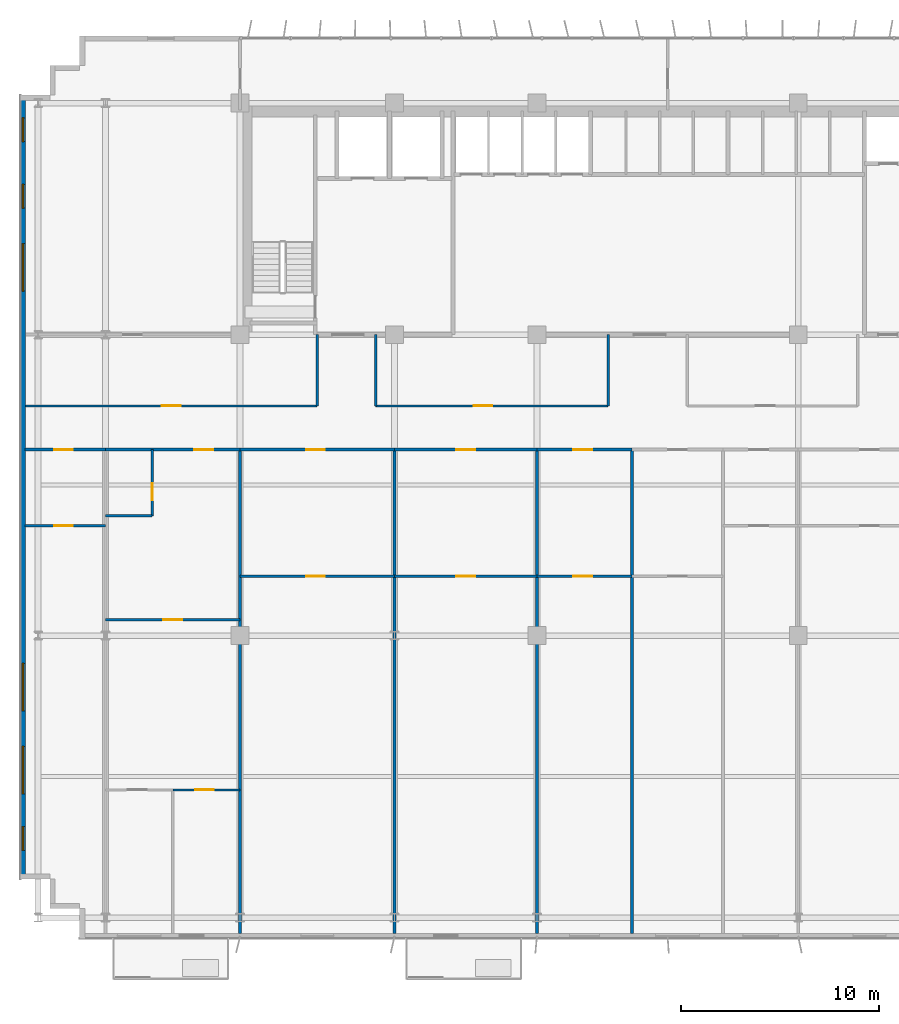
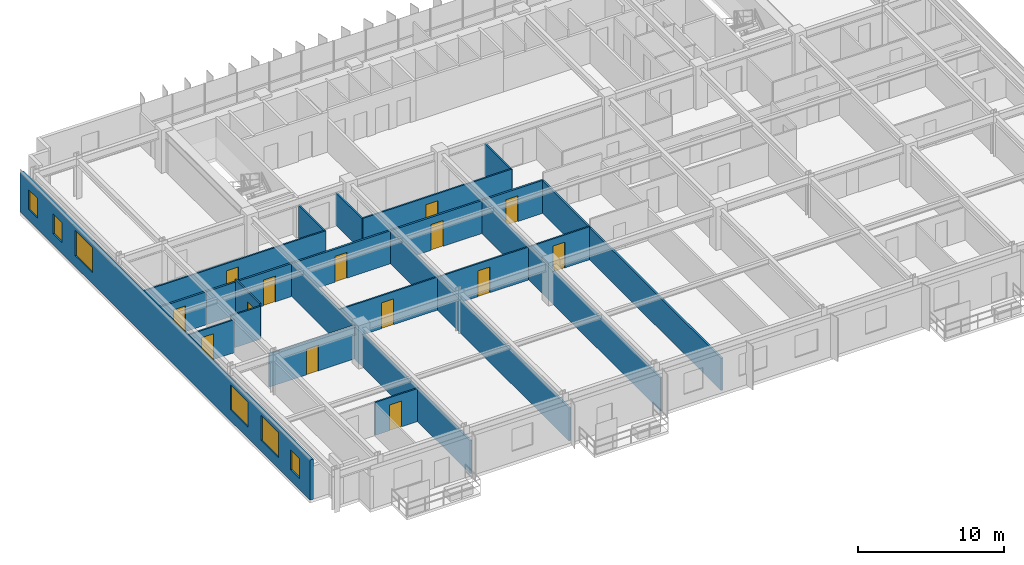
# One storey, part 15 of 22: 23 walls, 14 doors, 6 windows, 20 openings.
"""IFC4 building model written with IfcOpenShell, lengths in metres."""

from ifc_helpers import new_model, si_unit, direction, frame, frame_2d, origin, place, context, subcontext, project, spatial, rectangle, extrude, source, transform, mapped, material, layer, layer_set, type_object, element, fill, save


model = new_model("IFC4")

# Units and contexts
model_context = context("Model", 3, precision=1e-05, world=origin(), true_north=direction((0.0, 1.0)))
body_context = subcontext(model_context, "Body", "Model", "MODEL_VIEW")
ifc_project = project(units=[si_unit("LENGTHUNIT", "METRE"), si_unit("AREAUNIT", "SQUARE_METRE"), si_unit("VOLUMEUNIT", "CUBIC_METRE"), si_unit("PLANEANGLEUNIT", "RADIAN"), si_unit("MASSUNIT", "GRAM", prefix="KILO")], contexts=[model_context])

# Site, building, storey
site_placement = place(None, origin())
site = spatial("IfcSite", under=ifc_project, at=site_placement, CompositionType="ELEMENT")
building_placement = place(site_placement, origin())
building = spatial("IfcBuilding", under=site, at=building_placement, Name="Trelvane Seafront Commons", CompositionType="ELEMENT")
storey_placement = place(building_placement, frame((0.0, 0.0, 59.5)))
storey = spatial("IfcBuildingStorey", under=building, at=storey_placement, Name="L15", CompositionType="ELEMENT", Elevation=59.5)

# Wall, openings, windows
ifc_material_1 = material(Name="Precast concrete C40/50", Category="concrete")
ifc_layer_1 = layer(ifc_material_1, 0.260009765625, Name="ARCH-WALL-EXT260")
ifc_layer_set_1 = layer_set([ifc_layer_1], Name="Precast concrete C40/50")
wall_type_1 = type_object("IfcWallType", Name="ARCH-WALL-EXT260", PredefinedType="SOLIDWALL", material=ifc_layer_set_1)
wall_1_placement = place(storey_placement, frame((4.6298828125, 5.89990234375, 0.0), z_axis=(0.0, 0.0, 1.0), x_axis=(0.0, 1.0, 0.0)))
wall_1 = element("IfcWall", 1, at=wall_1_placement, inside=storey, type_object=wall_type_1, Name="EW-L15-00260", PredefinedType="SOLIDWALL", context=body_context, shape_type="SweptSolid", body=[
    extrude(rectangle(XDim=39.60009765625, YDim=0.260009765625, at=frame_2d((19.800048828125, 0.0))), origin(), (0.0, 0.0, 1.0), 3.340087890625),
])
opening_1_placement = place(wall_1_placement, frame((1.449951171875, 0.0, 0.919921875)))
opening_1 = element("IfcOpeningElement", 2, at=opening_1_placement, cuts=wall_1, Name="Opening W05", PredefinedType="OPENING", context=body_context, shape_type="SweptSolid", body=[
    extrude(rectangle(XDim=1.199951171875, YDim=1.64990234375, at=frame_2d((0.60009765625, 0.824951171875))), frame((0.0, 0.139892578125, 0.0), z_axis=(0.0, -1.0, 0.0), x_axis=(1.0, 0.0, 0.0)), (0.0, 0.0, 1.0), 0.280029296875),
])
opening_2_placement = place(wall_1_placement, frame((4.300048828125, 0.0, 0.919921875)))
opening_2 = element("IfcOpeningElement", 3, at=opening_2_placement, cuts=wall_1, Name="Opening W08", PredefinedType="OPENING", context=body_context, shape_type="SweptSolid", body=[
    extrude(rectangle(XDim=2.39990234375, YDim=2.10009765625, at=frame_2d((1.199951171875, 1.050048828125))), frame((0.0, 0.139892578125, 0.0), z_axis=(0.0, -1.0, 0.0), x_axis=(1.0, 0.0, 0.0)), (0.0, 0.0, 1.0), 0.280029296875),
])
opening_3_placement = place(wall_1_placement, frame((8.5, 0.0, 0.919921875)))
opening_3 = element("IfcOpeningElement", 4, at=opening_3_placement, cuts=wall_1, Name="Opening W08", PredefinedType="OPENING", context=body_context, shape_type="SweptSolid", body=[
    extrude(rectangle(XDim=2.39990234375, YDim=2.10009765625, at=frame_2d((1.199951171875, 1.050048828125))), frame((0.0, 0.139892578125, 0.0), z_axis=(0.0, -1.0, 0.0), x_axis=(1.0, 0.0, 0.0)), (0.0, 0.0, 1.0), 0.280029296875),
])
opening_4_placement = place(wall_1_placement, frame((29.699951171875, 0.0, 0.919921875)))
opening_4 = element("IfcOpeningElement", 5, at=opening_4_placement, cuts=wall_1, Name="Opening W08", PredefinedType="OPENING", context=body_context, shape_type="SweptSolid", body=[
    extrude(rectangle(XDim=2.39990234375, YDim=2.10009765625, at=frame_2d((1.199951171875, 1.050048828125))), frame((0.0, 0.139892578125, 0.0), z_axis=(0.0, -1.0, 0.0), x_axis=(1.0, 0.0, 0.0)), (0.0, 0.0, 1.0), 0.280029296875),
])
opening_5_placement = place(wall_1_placement, frame((33.89990234375, 0.0, 0.919921875)))
opening_5 = element("IfcOpeningElement", 6, at=opening_5_placement, cuts=wall_1, Name="Opening W05", PredefinedType="OPENING", context=body_context, shape_type="SweptSolid", body=[
    extrude(rectangle(XDim=1.199951171875, YDim=1.64990234375, at=frame_2d((0.60009765625, 0.824951171875))), frame((0.0, 0.139892578125, 0.0), z_axis=(0.0, -1.0, 0.0), x_axis=(1.0, 0.0, 0.0)), (0.0, 0.0, 1.0), 0.280029296875),
])
opening_6_placement = place(wall_1_placement, frame((37.25, 0.0, 0.919921875)))
opening_6 = element("IfcOpeningElement", 7, at=opening_6_placement, cuts=wall_1, Name="Opening W05", PredefinedType="OPENING", context=body_context, shape_type="SweptSolid", body=[
    extrude(rectangle(XDim=1.199951171875, YDim=1.64990234375, at=frame_2d((0.60009765625, 0.824951171875))), frame((0.0, 0.139892578125, 0.0), z_axis=(0.0, -1.0, 0.0), x_axis=(1.0, 0.0, 0.0)), (0.0, 0.0, 1.0), 0.280029296875),
])
ifc_material_2 = material(Name="Low-E coastal double glazing", Category="glass")
window_type_1 = type_object("IfcWindowType", Name="ARCH-WIN-W08", PartitioningType="SINGLE_PANEL", PredefinedType="WINDOW", material=ifc_material_2)
shared_shape_1 = source(origin(), body_context, "Body", "SweptSolid", [
    extrude(rectangle(XDim=2.39990234375, YDim=2.10009765625, at=frame_2d((1.199951171875, 1.050048828125))), frame((0.0, 0.030029296875, 0.0), z_axis=(0.0, -1.0, 0.0), x_axis=(1.0, 0.0, 0.0)), (0.0, 0.0, 1.0), 0.06005859375),
])
window_1_placement = place(opening_2_placement, origin())
window_1 = element("IfcWindow", 8, at=window_1_placement, inside=storey, type_object=window_type_1, Name="WIN-L15-EW-00313", OverallHeight=2.10009765625, OverallWidth=2.39990234375, PartitioningType="SINGLE_PANEL", PredefinedType="WINDOW", context=body_context, shape_type="MappedRepresentation", body=[
    mapped(shared_shape_1, transform((0.0, 0.0, 0.0), x_axis=(1.0, 0.0, 0.0), y_axis=(0.0, 1.0, 0.0), z_axis=(0.0, 0.0, 1.0), scale=1.0)),
])
fill(opening_2, window_1)
window_2_placement = place(opening_3_placement, origin())
window_2 = element("IfcWindow", 9, at=window_2_placement, inside=storey, type_object=window_type_1, Name="WIN-L15-EW-00314", OverallHeight=2.10009765625, OverallWidth=2.39990234375, PartitioningType="SINGLE_PANEL", PredefinedType="WINDOW", context=body_context, shape_type="MappedRepresentation", body=[
    mapped(shared_shape_1, transform((0.0, 0.0, 0.0), x_axis=(1.0, 0.0, 0.0), y_axis=(0.0, 1.0, 0.0), z_axis=(0.0, 0.0, 1.0), scale=1.0)),
])
fill(opening_3, window_2)
window_3_placement = place(opening_4_placement, origin())
window_3 = element("IfcWindow", 10, at=window_3_placement, inside=storey, type_object=window_type_1, Name="WIN-L15-EW-00315", OverallHeight=2.10009765625, OverallWidth=2.39990234375, PartitioningType="SINGLE_PANEL", PredefinedType="WINDOW", context=body_context, shape_type="MappedRepresentation", body=[
    mapped(shared_shape_1, transform((0.0, 0.0, 0.0), x_axis=(1.0, 0.0, 0.0), y_axis=(0.0, 1.0, 0.0), z_axis=(0.0, 0.0, 1.0), scale=1.0)),
])
fill(opening_4, window_3)
window_type_2 = type_object("IfcWindowType", Name="ARCH-WIN-W05", PartitioningType="SINGLE_PANEL", PredefinedType="WINDOW", material=ifc_material_2)
shared_shape_2 = source(origin(), body_context, "Body", "SweptSolid", [
    extrude(rectangle(XDim=1.199951171875, YDim=1.64990234375, at=frame_2d((0.60009765625, 0.824951171875))), frame((0.0, 0.030029296875, 0.0), z_axis=(0.0, -1.0, 0.0), x_axis=(1.0, 0.0, 0.0)), (0.0, 0.0, 1.0), 0.06005859375),
])
window_4_placement = place(opening_1_placement, origin())
window_4 = element("IfcWindow", 11, at=window_4_placement, inside=storey, type_object=window_type_2, Name="WIN-L15-EW-00312", OverallHeight=1.64990234375, OverallWidth=1.199951171875, PartitioningType="SINGLE_PANEL", PredefinedType="WINDOW", context=body_context, shape_type="MappedRepresentation", body=[
    mapped(shared_shape_2, transform((0.0, 0.0, 0.0), x_axis=(1.0, 0.0, 0.0), y_axis=(0.0, 1.0, 0.0), z_axis=(0.0, 0.0, 1.0), scale=1.0)),
])
fill(opening_1, window_4)
window_5_placement = place(opening_5_placement, origin())
window_5 = element("IfcWindow", 12, at=window_5_placement, inside=storey, type_object=window_type_2, Name="WIN-L15-EW-00316", OverallHeight=1.64990234375, OverallWidth=1.199951171875, PartitioningType="SINGLE_PANEL", PredefinedType="WINDOW", context=body_context, shape_type="MappedRepresentation", body=[
    mapped(shared_shape_2, transform((0.0, 0.0, 0.0), x_axis=(1.0, 0.0, 0.0), y_axis=(0.0, 1.0, 0.0), z_axis=(0.0, 0.0, 1.0), scale=1.0)),
])
fill(opening_5, window_5)
window_6_placement = place(opening_6_placement, origin())
window_6 = element("IfcWindow", 13, at=window_6_placement, inside=storey, type_object=window_type_2, Name="WIN-L15-EW-00317", OverallHeight=1.64990234375, OverallWidth=1.199951171875, PartitioningType="SINGLE_PANEL", PredefinedType="WINDOW", context=body_context, shape_type="MappedRepresentation", body=[
    mapped(shared_shape_2, transform((0.0, 0.0, 0.0), x_axis=(1.0, 0.0, 0.0), y_axis=(0.0, 1.0, 0.0), z_axis=(0.0, 0.0, 1.0), scale=1.0)),
])
fill(opening_6, window_6)

# Wall, opening, door
ifc_material_3 = material(Name="Gypsum Drywall Acoustic Partition")
ifc_layer_2 = layer(ifc_material_3, 0.1201171875, Name="ARCH-WALL-PART120")
ifc_layer_set_2 = layer_set([ifc_layer_2], Name="Gypsum Drywall Acoustic Partition")
wall_type_2 = type_object("IfcWallType", Name="ARCH-WALL-PART120", PredefinedType="PARTITIONING", material=ifc_layer_set_2)
wall_2_placement = place(storey_placement, frame((4.75, 29.800048828125, 0.0), z_axis=(0.0, 0.0, 1.0), x_axis=(1.0, 0.0, 0.0)))
wall_2 = element("IfcWall", 14, at=wall_2_placement, inside=storey, type_object=wall_type_2, Name="W-L15-CORR-N-W-039", PredefinedType="PARTITIONING", context=body_context, shape_type="SweptSolid", body=[
    extrude(rectangle(XDim=14.75, YDim=0.1201171875, at=frame_2d((7.375, 0.0))), origin(), (0.0, 0.0, 1.0), 2.751953125),
])
opening_7_placement = place(wall_2_placement, frame((6.89990234375, 0.0, 0.0)))
opening_7 = element("IfcOpeningElement", 15, at=opening_7_placement, cuts=wall_2, Name="Opening D-L15-19", PredefinedType="OPENING", context=body_context, shape_type="SweptSolid", body=[
    extrude(rectangle(XDim=0.949951171875, YDim=2.14990234375, at=frame_2d((0.47509765625, 1.074951171875))), frame((0.0, 0.070068359375, 0.0), z_axis=(0.0, -1.0, 0.0), x_axis=(1.0, 0.0, 0.0)), (0.0, 0.0, 1.0), 0.14013671875),
])
ifc_material_4 = material(Name="Acoustic timber door leaf", Category="wood")
door_type_1 = type_object("IfcDoorType", Name="ARCH-DR-INT950", OperationType="NOTDEFINED", PredefinedType="DOOR", material=ifc_material_4)
shared_shape_3 = source(origin(), body_context, "Body", "SweptSolid", [
    extrude(rectangle(XDim=0.949951171875, YDim=2.14990234375, at=frame_2d((0.47509765625, 1.074951171875))), frame((0.0, 0.02490234375, 0.0), z_axis=(0.0, -1.0, 0.0), x_axis=(1.0, 0.0, 0.0)), (0.0, 0.0, 1.0), 0.050048828125),
])
door_1_placement = place(opening_7_placement, origin())
door_1 = element("IfcDoor", 16, at=door_1_placement, inside=storey, type_object=door_type_1, Name="L15 Door 19", OperationType="SINGLE_SWING_LEFT", OverallHeight=2.14990234375, OverallWidth=0.949951171875, PredefinedType="DOOR", context=body_context, shape_type="MappedRepresentation", body=[
    mapped(shared_shape_3, transform((0.0, 0.0, 0.0), x_axis=(1.0, 0.0, 0.0), y_axis=(0.0, 1.0, 0.0), z_axis=(0.0, 0.0, 1.0), scale=1.0)),
])
fill(opening_7, door_1)

wall_3_placement = place(storey_placement, frame((22.449951171875, 29.800048828125, 0.0), z_axis=(0.0, 0.0, 1.0), x_axis=(1.0, 0.0, 0.0)))
wall_3 = element("IfcWall", 17, at=wall_3_placement, inside=storey, type_object=wall_type_2, Name="W-L15-CORR-N-M1-040", PredefinedType="PARTITIONING", context=body_context, shape_type="SweptSolid", body=[
    extrude(rectangle(XDim=11.75, YDim=0.1201171875, at=frame_2d((5.875, 0.0))), origin(), (0.0, 0.0, 1.0), 2.751953125),
])
opening_8_placement = place(wall_3_placement, frame((4.944091796875, 0.0, 0.0)))
opening_8 = element("IfcOpeningElement", 18, at=opening_8_placement, cuts=wall_3, Name="Opening D-L15-20", PredefinedType="OPENING", context=body_context, shape_type="SweptSolid", body=[
    extrude(rectangle(XDim=0.949951171875, YDim=2.14990234375, at=frame_2d((0.47509765625, 1.074951171875))), frame((0.0, 0.070068359375, 0.0), z_axis=(0.0, -1.0, 0.0), x_axis=(1.0, 0.0, 0.0)), (0.0, 0.0, 1.0), 0.14013671875),
])
door_2_placement = place(opening_8_placement, origin())
door_2 = element("IfcDoor", 19, at=door_2_placement, inside=storey, type_object=door_type_1, Name="L15 Door 20", OperationType="SINGLE_SWING_RIGHT", OverallHeight=2.14990234375, OverallWidth=0.949951171875, PredefinedType="DOOR", context=body_context, shape_type="MappedRepresentation", body=[
    mapped(shared_shape_3, transform((0.0, 0.0, 0.0), x_axis=(1.0, 0.0, 0.0), y_axis=(0.0, 1.0, 0.0), z_axis=(0.0, 0.0, 1.0), scale=1.0)),
])
fill(opening_8, door_2)

# Walls
for number, where, z_axis, x_axis, name in (
    (20, (19.5, 29.800048828125, 0.0), (0.0, 0.0, 1.0), (0.0, 1.0, 0.0), "W-L15-N-SPUR-W1-044"),
    (21, (22.449951171875, 29.800048828125, 0.0), (0.0, 0.0, 1.0), (0.0, 1.0, 0.0), "W-L15-N-SPUR-W2-045"),
    (22, (34.199951171875, 29.800048828125, 0.0), (0.0, 0.0, 1.0), (0.0, 1.0, 0.0), "W-L15-N-SPUR-M1-046"),
):
    element("IfcWall", number, at=place(storey_placement, frame(where, z_axis=z_axis, x_axis=x_axis)), inside=storey, type_object=wall_type_2, Name=name, PredefinedType="PARTITIONING", context=body_context, shape_type="SweptSolid", body=[
        extrude(rectangle(XDim=3.599853515625, YDim=0.1201171875, at=frame_2d((1.7998046875, 0.0))), origin(), (0.0, 0.0, 1.0), 2.68994140625),
    ])

# Wall, opening, door
wall_4_placement = place(storey_placement, frame((4.7451171875, 23.75, 0.0), z_axis=(0.0, 0.0, 1.0), x_axis=(1.0, 0.0, 0.0)))
wall_4 = element("IfcWall", 23, at=wall_4_placement, inside=storey, type_object=wall_type_2, Name="W-L15-U1-DIV-066", PredefinedType="PARTITIONING", context=body_context, shape_type="SweptSolid", body=[
    extrude(rectangle(XDim=4.054931640625, YDim=0.1201171875, at=frame_2d((2.02734375, 0.0))), origin(), (0.0, 0.0, 1.0), 2.751953125),
])
opening_9_placement = place(wall_4_placement, frame((1.4619140625, 0.0, 0.0)))
opening_9 = element("IfcOpeningElement", 24, at=opening_9_placement, cuts=wall_4, Name="Opening D-L15-30", PredefinedType="OPENING", context=body_context, shape_type="SweptSolid", body=[
    extrude(rectangle(XDim=0.949951171875, YDim=2.14990234375, at=frame_2d((0.47509765625, 1.074951171875))), frame((0.0, 0.070068359375, 0.0), z_axis=(0.0, -1.0, 0.0), x_axis=(1.0, 0.0, 0.0)), (0.0, 0.0, 1.0), 0.14013671875),
])
door_3_placement = place(opening_9_placement, origin())
door_3 = element("IfcDoor", 25, at=door_3_placement, inside=storey, type_object=door_type_1, Name="L15 Door 30", OperationType="SINGLE_SWING_RIGHT", OverallHeight=2.14990234375, OverallWidth=0.949951171875, PredefinedType="DOOR", context=body_context, shape_type="MappedRepresentation", body=[
    mapped(shared_shape_3, transform((0.0, 0.0, 0.0), x_axis=(1.0, 0.0, 0.0), y_axis=(0.0, 1.0, 0.0), z_axis=(0.0, 0.0, 1.0), scale=1.0)),
])
fill(opening_9, door_3)

wall_5_placement = place(storey_placement, frame((8.800048828125, 19.0, 0.0), z_axis=(0.0, 0.0, 1.0), x_axis=(1.0, 0.0, 0.0)))
wall_5 = element("IfcWall", 26, at=wall_5_placement, inside=storey, type_object=wall_type_2, Name="W-L15-U2-KL-067", PredefinedType="PARTITIONING", context=body_context, shape_type="SweptSolid", body=[
    extrude(rectangle(XDim=6.800048828125, YDim=0.1201171875, at=frame_2d((3.39990234375, 0.0))), origin(), (0.0, 0.0, 1.0), 2.751953125),
])
opening_10_placement = place(wall_5_placement, frame((2.925048828125, 0.0, 0.0)))
opening_10 = element("IfcOpeningElement", 27, at=opening_10_placement, cuts=wall_5, Name="Opening D-L15-31", PredefinedType="OPENING", context=body_context, shape_type="SweptSolid", body=[
    extrude(rectangle(XDim=0.949951171875, YDim=2.14990234375, at=frame_2d((0.47509765625, 1.074951171875))), frame((0.0, 0.070068359375, 0.0), z_axis=(0.0, -1.0, 0.0), x_axis=(1.0, 0.0, 0.0)), (0.0, 0.0, 1.0), 0.14013671875),
])
door_4_placement = place(opening_10_placement, origin())
door_4 = element("IfcDoor", 28, at=door_4_placement, inside=storey, type_object=door_type_1, Name="L15 Door 31", OperationType="SINGLE_SWING_LEFT", OverallHeight=2.14990234375, OverallWidth=0.949951171875, PredefinedType="DOOR", context=body_context, shape_type="MappedRepresentation", body=[
    mapped(shared_shape_3, transform((0.0, 0.0, 0.0), x_axis=(1.0, 0.0, 0.0), y_axis=(0.0, 1.0, 0.0), z_axis=(0.0, 0.0, 1.0), scale=1.0)),
])
fill(opening_10, door_4)

wall_6_placement = place(storey_placement, frame((11.162109375, 24.25, 0.0), z_axis=(0.0, 0.0, 1.0), x_axis=(0.0, 1.0, 0.0)))
wall_6 = element("IfcWall", 29, at=wall_6_placement, inside=storey, type_object=wall_type_2, Name="W-L15-U2-BE-068", PredefinedType="PARTITIONING", context=body_context, shape_type="SweptSolid", body=[
    extrude(rectangle(XDim=3.35009765625, YDim=0.1201171875, at=frame_2d((1.675048828125, 0.0))), origin(), (0.0, 0.0, 1.0), 2.93994140625),
])
opening_11_placement = place(wall_6_placement, frame((0.800048828125, 0.0, 0.0)))
opening_11 = element("IfcOpeningElement", 30, at=opening_11_placement, cuts=wall_6, Name="Opening D-L15-32", PredefinedType="OPENING", context=body_context, shape_type="SweptSolid", body=[
    extrude(rectangle(XDim=0.85009765625, YDim=2.10009765625, at=frame_2d((0.425048828125, 1.050048828125))), frame((0.0, 0.070068359375, 0.0), z_axis=(0.0, -1.0, 0.0), x_axis=(1.0, 0.0, 0.0)), (0.0, 0.0, 1.0), 0.14013671875),
])
door_type_2 = type_object("IfcDoorType", Name="ARCH-DR-INT850", OperationType="NOTDEFINED", PredefinedType="DOOR", material=ifc_material_4)
shared_shape_4 = source(origin(), body_context, "Body", "SweptSolid", [
    extrude(rectangle(XDim=0.85009765625, YDim=2.10009765625, at=frame_2d((0.425048828125, 1.050048828125))), frame((0.0, 0.02490234375, 0.0), z_axis=(0.0, -1.0, 0.0), x_axis=(1.0, 0.0, 0.0)), (0.0, 0.0, 1.0), 0.050048828125),
])
door_5_placement = place(opening_11_placement, origin())
door_5 = element("IfcDoor", 31, at=door_5_placement, inside=storey, type_object=door_type_2, Name="L15 Door 32", OperationType="SINGLE_SWING_RIGHT", OverallHeight=2.10009765625, OverallWidth=0.85009765625, PredefinedType="DOOR", context=body_context, shape_type="MappedRepresentation", body=[
    mapped(shared_shape_4, transform((0.0, 0.0, 0.0), x_axis=(1.0, 0.0, 0.0), y_axis=(0.0, 1.0, 0.0), z_axis=(0.0, 0.0, 1.0), scale=1.0)),
])
fill(opening_11, door_5)

# Wall
wall_7_placement = place(storey_placement, frame((8.800048828125, 24.25, 0.0), z_axis=(0.0, 0.0, 1.0), x_axis=(1.0, 0.0, 0.0)))
element("IfcWall", 32, at=wall_7_placement, inside=storey, type_object=wall_type_2, Name="W-L15-U2-BS-069", PredefinedType="PARTITIONING", context=body_context, shape_type="SweptSolid", body=[
    extrude(rectangle(XDim=2.362060546875, YDim=0.1201171875, at=frame_2d((1.18115234375, 0.0))), origin(), (0.0, 0.0, 1.0), 2.751953125),
])

# Wall, opening, door
wall_8_placement = place(storey_placement, frame((12.199951171875, 10.39990234375, 0.0), z_axis=(0.0, 0.0, 1.0), x_axis=(1.0, 0.0, 0.0)))
wall_8 = element("IfcWall", 33, at=wall_8_placement, inside=storey, type_object=wall_type_2, Name="W-L15-U2-YM-2-072", PredefinedType="PARTITIONING", context=body_context, shape_type="SweptSolid", body=[
    extrude(rectangle(XDim=3.400146484375, YDim=0.1201171875, at=frame_2d((1.7001953125, 0.0))), origin(), (0.0, 0.0, 1.0), 2.751953125),
])
opening_12_placement = place(wall_8_placement, frame((1.131103515625, 0.0, 0.0)))
opening_12 = element("IfcOpeningElement", 34, at=opening_12_placement, cuts=wall_8, Name="Opening D-L15-35", PredefinedType="OPENING", context=body_context, shape_type="SweptSolid", body=[
    extrude(rectangle(XDim=0.949951171875, YDim=2.14990234375, at=frame_2d((0.47509765625, 1.074951171875))), frame((0.0, 0.070068359375, 0.0), z_axis=(0.0, -1.0, 0.0), x_axis=(1.0, 0.0, 0.0)), (0.0, 0.0, 1.0), 0.14013671875),
])
door_6_placement = place(opening_12_placement, origin())
door_6 = element("IfcDoor", 35, at=door_6_placement, inside=storey, type_object=door_type_1, Name="L15 Door 35", OperationType="SINGLE_SWING_LEFT", OverallHeight=2.14990234375, OverallWidth=0.949951171875, PredefinedType="DOOR", context=body_context, shape_type="MappedRepresentation", body=[
    mapped(shared_shape_3, transform((0.0, 0.0, 0.0), x_axis=(1.0, 0.0, 0.0), y_axis=(0.0, 1.0, 0.0), z_axis=(0.0, 0.0, 1.0), scale=1.0)),
])
fill(opening_12, door_6)

wall_9_placement = place(storey_placement, frame((15.60009765625, 21.199951171875, 0.0), z_axis=(0.0, 0.0, 1.0), x_axis=(1.0, 0.0, 0.0)))
wall_9 = element("IfcWall", 36, at=wall_9_placement, inside=storey, type_object=wall_type_2, Name="W-L15-U3-DIV-075", PredefinedType="PARTITIONING", context=body_context, shape_type="SweptSolid", body=[
    extrude(rectangle(XDim=7.7998046875, YDim=0.1201171875, at=frame_2d((3.89990234375, 0.0))), origin(), (0.0, 0.0, 1.0), 2.751953125),
])
opening_13_placement = place(wall_9_placement, frame((3.3330078125, 0.0, 0.0)))
opening_13 = element("IfcOpeningElement", 37, at=opening_13_placement, cuts=wall_9, Name="Opening D-L15-37", PredefinedType="OPENING", context=body_context, shape_type="SweptSolid", body=[
    extrude(rectangle(XDim=0.949951171875, YDim=2.14990234375, at=frame_2d((0.47509765625, 1.074951171875))), frame((0.0, 0.070068359375, 0.0), z_axis=(0.0, -1.0, 0.0), x_axis=(1.0, 0.0, 0.0)), (0.0, 0.0, 1.0), 0.14013671875),
])
door_7_placement = place(opening_13_placement, origin())
door_7 = element("IfcDoor", 38, at=door_7_placement, inside=storey, type_object=door_type_1, Name="L15 Door 37", OperationType="SINGLE_SWING_LEFT", OverallHeight=2.14990234375, OverallWidth=0.949951171875, PredefinedType="DOOR", context=body_context, shape_type="MappedRepresentation", body=[
    mapped(shared_shape_3, transform((0.0, 0.0, 0.0), x_axis=(1.0, 0.0, 0.0), y_axis=(0.0, 1.0, 0.0), z_axis=(0.0, 0.0, 1.0), scale=1.0)),
])
fill(opening_13, door_7)

wall_10_placement = place(storey_placement, frame((23.39990234375, 21.199951171875, 0.0), z_axis=(0.0, 0.0, 1.0), x_axis=(1.0, 0.0, 0.0)))
wall_10 = element("IfcWall", 39, at=wall_10_placement, inside=storey, type_object=wall_type_2, Name="W-L15-U4-DIV-077", PredefinedType="PARTITIONING", context=body_context, shape_type="SweptSolid", body=[
    extrude(rectangle(XDim=7.2001953125, YDim=0.1201171875, at=frame_2d((3.60009765625, 0.0))), origin(), (0.0, 0.0, 1.0), 2.751953125),
])
opening_14_placement = place(wall_10_placement, frame((3.125, 0.0, 0.0)))
opening_14 = element("IfcOpeningElement", 40, at=opening_14_placement, cuts=wall_10, Name="Opening D-L15-39", PredefinedType="OPENING", context=body_context, shape_type="SweptSolid", body=[
    extrude(rectangle(XDim=0.949951171875, YDim=2.14990234375, at=frame_2d((0.47509765625, 1.074951171875))), frame((0.0, 0.070068359375, 0.0), z_axis=(0.0, -1.0, 0.0), x_axis=(1.0, 0.0, 0.0)), (0.0, 0.0, 1.0), 0.14013671875),
])
door_8_placement = place(opening_14_placement, origin())
door_8 = element("IfcDoor", 41, at=door_8_placement, inside=storey, type_object=door_type_1, Name="L15 Door 39", OperationType="SINGLE_SWING_LEFT", OverallHeight=2.14990234375, OverallWidth=0.949951171875, PredefinedType="DOOR", context=body_context, shape_type="MappedRepresentation", body=[
    mapped(shared_shape_3, transform((0.0, 0.0, 0.0), x_axis=(1.0, 0.0, 0.0), y_axis=(0.0, 1.0, 0.0), z_axis=(0.0, 0.0, 1.0), scale=1.0)),
])
fill(opening_14, door_8)

wall_11_placement = place(storey_placement, frame((30.60009765625, 21.199951171875, 0.0), z_axis=(0.0, 0.0, 1.0), x_axis=(1.0, 0.0, 0.0)))
wall_11 = element("IfcWall", 42, at=wall_11_placement, inside=storey, type_object=wall_type_2, Name="W-L15-U5-DIV-079", PredefinedType="PARTITIONING", context=body_context, shape_type="SweptSolid", body=[
    extrude(rectangle(XDim=4.7998046875, YDim=0.1201171875, at=frame_2d((2.39990234375, 0.0))), origin(), (0.0, 0.0, 1.0), 2.751953125),
])
opening_15_placement = place(wall_11_placement, frame((1.833984375, 0.0, 0.0)))
opening_15 = element("IfcOpeningElement", 43, at=opening_15_placement, cuts=wall_11, Name="Opening D-L15-41", PredefinedType="OPENING", context=body_context, shape_type="SweptSolid", body=[
    extrude(rectangle(XDim=0.949951171875, YDim=2.14990234375, at=frame_2d((0.47509765625, 1.074951171875))), frame((0.0, 0.070068359375, 0.0), z_axis=(0.0, -1.0, 0.0), x_axis=(1.0, 0.0, 0.0)), (0.0, 0.0, 1.0), 0.14013671875),
])
door_9_placement = place(opening_15_placement, origin())
door_9 = element("IfcDoor", 44, at=door_9_placement, inside=storey, type_object=door_type_1, Name="L15 Door 41", OperationType="SINGLE_SWING_LEFT", OverallHeight=2.14990234375, OverallWidth=0.949951171875, PredefinedType="DOOR", context=body_context, shape_type="MappedRepresentation", body=[
    mapped(shared_shape_3, transform((0.0, 0.0, 0.0), x_axis=(1.0, 0.0, 0.0), y_axis=(0.0, 1.0, 0.0), z_axis=(0.0, 0.0, 1.0), scale=1.0)),
])
fill(opening_15, door_9)

# Walls
ifc_layer_3 = layer(ifc_material_3, 0.14990234375, Name="ARCH-WALL-PART150")
ifc_layer_set_3 = layer_set([ifc_layer_3], Name="Gypsum Drywall Acoustic Partition")
wall_type_3 = type_object("IfcWallType", Name="ARCH-WALL-PART150", PredefinedType="PARTITIONING", material=ifc_layer_set_3)
for number, where, z_axis, x_axis, name in (
    (45, (15.60009765625, 3.14501953125, 0.0), (0.0, 0.0, 1.0), (0.0, 1.0, 0.0), "W-L15-PW-2-056"),
    (46, (23.39990234375, 3.14501953125, 0.0), (0.0, 0.0, 1.0), (0.0, 1.0, 0.0), "W-L15-PW-3-057"),
    (47, (30.60009765625, 3.14501953125, 0.0), (0.0, 0.0, 1.0), (0.0, 1.0, 0.0), "W-L15-PW-4-058"),
):
    element("IfcWall", number, at=place(storey_placement, frame(where, z_axis=z_axis, x_axis=x_axis)), inside=storey, type_object=wall_type_3, Name=name, PredefinedType="PARTITIONING", context=body_context, shape_type="SweptSolid", body=[
        extrude(rectangle(XDim=24.455078125, YDim=0.14990234375, at=frame_2d((12.2275390625, 0.0))), origin(), (0.0, 0.0, 1.0), 2.751953125),
    ])
wall_12_placement = place(storey_placement, frame((35.39990234375, 3.14501953125, 0.0), z_axis=(0.0, 0.0, 1.0), x_axis=(0.0, 1.0, 0.0)))
element("IfcWall", 48, at=wall_12_placement, inside=storey, type_object=wall_type_3, Name="W-L15-PW-5-059", PredefinedType="PARTITIONING", context=body_context, shape_type="SweptSolid", body=[
    extrude(rectangle(XDim=24.455078125, YDim=0.14990234375, at=frame_2d((12.2275390625, 0.0))), origin(), (0.0, 0.0, 1.0), 2.68994140625),
])

# Wall, opening, door
wall_13_placement = place(storey_placement, frame((4.7451171875, 27.60009765625, 0.0), z_axis=(0.0, 0.0, 1.0), x_axis=(1.0, 0.0, 0.0)))
wall_13 = element("IfcWall", 49, at=wall_13_placement, inside=storey, type_object=wall_type_3, Name="W-L15-CS-BAY-1-065", PredefinedType="PARTITIONING", context=body_context, shape_type="SweptSolid", body=[
    extrude(rectangle(XDim=4.054931640625, YDim=0.14990234375, at=frame_2d((2.02734375, 0.0))), origin(), (0.0, 0.0, 1.0), 2.751953125),
])
opening_16_placement = place(wall_13_placement, frame((1.4619140625, 0.0, 0.0)))
opening_16 = element("IfcOpeningElement", 50, at=opening_16_placement, cuts=wall_13, Name="Opening FD-L15-29", PredefinedType="OPENING", context=body_context, shape_type="SweptSolid", body=[
    extrude(rectangle(XDim=0.949951171875, YDim=2.14990234375, at=frame_2d((0.47509765625, 1.074951171875))), frame((0.0, 0.0849609375, 0.0), z_axis=(0.0, -1.0, 0.0), x_axis=(1.0, 0.0, 0.0)), (0.0, 0.0, 1.0), 0.169921875),
])
ifc_material_5 = material(Name="Powder-coated aluminium frame", Category="aluminium")
door_type_3 = type_object("IfcDoorType", Name="ARCH-DR-FD60-950", OperationType="NOTDEFINED", PredefinedType="DOOR", material=ifc_material_5)
door_10_placement = place(opening_16_placement, origin())
door_10 = element("IfcDoor", 51, at=door_10_placement, inside=storey, type_object=door_type_3, Name="L15 Bay 01 Entrance Door", OperationType="SINGLE_SWING_LEFT", OverallHeight=2.14990234375, OverallWidth=0.949951171875, PredefinedType="DOOR", context=body_context, shape_type="MappedRepresentation", body=[
    mapped(shared_shape_3, transform((0.0, 0.0, 0.0), x_axis=(1.0, 0.0, 0.0), y_axis=(0.0, 1.0, 0.0), z_axis=(0.0, 0.0, 1.0), scale=1.0)),
])
fill(opening_16, door_10)

wall_14_placement = place(storey_placement, frame((8.800048828125, 27.60009765625, 0.0), z_axis=(0.0, 0.0, 1.0), x_axis=(1.0, 0.0, 0.0)))
wall_14 = element("IfcWall", 52, at=wall_14_placement, inside=storey, type_object=wall_type_3, Name="W-L15-CS-BAY-2-070", PredefinedType="PARTITIONING", context=body_context, shape_type="SweptSolid", body=[
    extrude(rectangle(XDim=6.800048828125, YDim=0.14990234375, at=frame_2d((3.39990234375, 0.0))), origin(), (0.0, 0.0, 1.0), 2.751953125),
])
opening_17_placement = place(wall_14_placement, frame((4.489990234375, 0.0, 0.0)))
opening_17 = element("IfcOpeningElement", 53, at=opening_17_placement, cuts=wall_14, Name="Opening FD-L15-33", PredefinedType="OPENING", context=body_context, shape_type="SweptSolid", body=[
    extrude(rectangle(XDim=0.949951171875, YDim=2.14990234375, at=frame_2d((0.47509765625, 1.074951171875))), frame((0.0, 0.0849609375, 0.0), z_axis=(0.0, -1.0, 0.0), x_axis=(1.0, 0.0, 0.0)), (0.0, 0.0, 1.0), 0.169921875),
])
door_11_placement = place(opening_17_placement, origin())
door_11 = element("IfcDoor", 54, at=door_11_placement, inside=storey, type_object=door_type_3, Name="L15 Unit 02 Entrance Door", OperationType="SINGLE_SWING_LEFT", OverallHeight=2.14990234375, OverallWidth=0.949951171875, PredefinedType="DOOR", context=body_context, shape_type="MappedRepresentation", body=[
    mapped(shared_shape_3, transform((0.0, 0.0, 0.0), x_axis=(1.0, 0.0, 0.0), y_axis=(0.0, 1.0, 0.0), z_axis=(0.0, 0.0, 1.0), scale=1.0)),
])
fill(opening_17, door_11)

wall_15_placement = place(storey_placement, frame((15.60009765625, 27.60009765625, 0.0), z_axis=(0.0, 0.0, 1.0), x_axis=(1.0, 0.0, 0.0)))
wall_15 = element("IfcWall", 55, at=wall_15_placement, inside=storey, type_object=wall_type_3, Name="W-L15-CS-BAY-3-074", PredefinedType="PARTITIONING", context=body_context, shape_type="SweptSolid", body=[
    extrude(rectangle(XDim=7.7998046875, YDim=0.14990234375, at=frame_2d((3.89990234375, 0.0))), origin(), (0.0, 0.0, 1.0), 2.751953125),
])
opening_18_placement = place(wall_15_placement, frame((3.3330078125, 0.0, 0.0)))
opening_18 = element("IfcOpeningElement", 56, at=opening_18_placement, cuts=wall_15, Name="Opening FD-L15-36", PredefinedType="OPENING", context=body_context, shape_type="SweptSolid", body=[
    extrude(rectangle(XDim=0.949951171875, YDim=2.14990234375, at=frame_2d((0.47509765625, 1.074951171875))), frame((0.0, 0.0849609375, 0.0), z_axis=(0.0, -1.0, 0.0), x_axis=(1.0, 0.0, 0.0)), (0.0, 0.0, 1.0), 0.169921875),
])
door_12_placement = place(opening_18_placement, origin())
door_12 = element("IfcDoor", 57, at=door_12_placement, inside=storey, type_object=door_type_3, Name="L15 Bay 03 Entrance Door", OperationType="SINGLE_SWING_RIGHT", OverallHeight=2.14990234375, OverallWidth=0.949951171875, PredefinedType="DOOR", context=body_context, shape_type="MappedRepresentation", body=[
    mapped(shared_shape_3, transform((0.0, 0.0, 0.0), x_axis=(1.0, 0.0, 0.0), y_axis=(0.0, 1.0, 0.0), z_axis=(0.0, 0.0, 1.0), scale=1.0)),
])
fill(opening_18, door_12)

wall_16_placement = place(storey_placement, frame((23.39990234375, 27.60009765625, 0.0), z_axis=(0.0, 0.0, 1.0), x_axis=(1.0, 0.0, 0.0)))
wall_16 = element("IfcWall", 58, at=wall_16_placement, inside=storey, type_object=wall_type_3, Name="W-L15-CS-BAY-4-076", PredefinedType="PARTITIONING", context=body_context, shape_type="SweptSolid", body=[
    extrude(rectangle(XDim=7.2001953125, YDim=0.14990234375, at=frame_2d((3.60009765625, 0.0))), origin(), (0.0, 0.0, 1.0), 2.751953125),
])
opening_19_placement = place(wall_16_placement, frame((3.125, 0.0, 0.0)))
opening_19 = element("IfcOpeningElement", 59, at=opening_19_placement, cuts=wall_16, Name="Opening FD-L15-38", PredefinedType="OPENING", context=body_context, shape_type="SweptSolid", body=[
    extrude(rectangle(XDim=0.949951171875, YDim=2.14990234375, at=frame_2d((0.47509765625, 1.074951171875))), frame((0.0, 0.0849609375, 0.0), z_axis=(0.0, -1.0, 0.0), x_axis=(1.0, 0.0, 0.0)), (0.0, 0.0, 1.0), 0.169921875),
])
door_13_placement = place(opening_19_placement, origin())
door_13 = element("IfcDoor", 60, at=door_13_placement, inside=storey, type_object=door_type_3, Name="L15 Bay 04 Entrance Door", OperationType="SINGLE_SWING_RIGHT", OverallHeight=2.14990234375, OverallWidth=0.949951171875, PredefinedType="DOOR", context=body_context, shape_type="MappedRepresentation", body=[
    mapped(shared_shape_3, transform((0.0, 0.0, 0.0), x_axis=(1.0, 0.0, 0.0), y_axis=(0.0, 1.0, 0.0), z_axis=(0.0, 0.0, 1.0), scale=1.0)),
])
fill(opening_19, door_13)

wall_17_placement = place(storey_placement, frame((30.60009765625, 27.60009765625, 0.0), z_axis=(0.0, 0.0, 1.0), x_axis=(1.0, 0.0, 0.0)))
wall_17 = element("IfcWall", 61, at=wall_17_placement, inside=storey, type_object=wall_type_3, Name="W-L15-CS-BAY-5-078", PredefinedType="PARTITIONING", context=body_context, shape_type="SweptSolid", body=[
    extrude(rectangle(XDim=4.7998046875, YDim=0.14990234375, at=frame_2d((2.39990234375, 0.0))), origin(), (0.0, 0.0, 1.0), 2.751953125),
])
opening_20_placement = place(wall_17_placement, frame((1.833984375, 0.0, 0.0)))
opening_20 = element("IfcOpeningElement", 62, at=opening_20_placement, cuts=wall_17, Name="Opening FD-L15-40", PredefinedType="OPENING", context=body_context, shape_type="SweptSolid", body=[
    extrude(rectangle(XDim=0.949951171875, YDim=2.14990234375, at=frame_2d((0.47509765625, 1.074951171875))), frame((0.0, 0.0849609375, 0.0), z_axis=(0.0, -1.0, 0.0), x_axis=(1.0, 0.0, 0.0)), (0.0, 0.0, 1.0), 0.169921875),
])
door_14_placement = place(opening_20_placement, origin())
door_14 = element("IfcDoor", 63, at=door_14_placement, inside=storey, type_object=door_type_3, Name="L15 Bay 05 Entrance Door", OperationType="SINGLE_SWING_RIGHT", OverallHeight=2.14990234375, OverallWidth=0.949951171875, PredefinedType="DOOR", context=body_context, shape_type="MappedRepresentation", body=[
    mapped(shared_shape_3, transform((0.0, 0.0, 0.0), x_axis=(1.0, 0.0, 0.0), y_axis=(0.0, 1.0, 0.0), z_axis=(0.0, 0.0, 1.0), scale=1.0)),
])
fill(opening_20, door_14)

save(model, "model.ifc")
